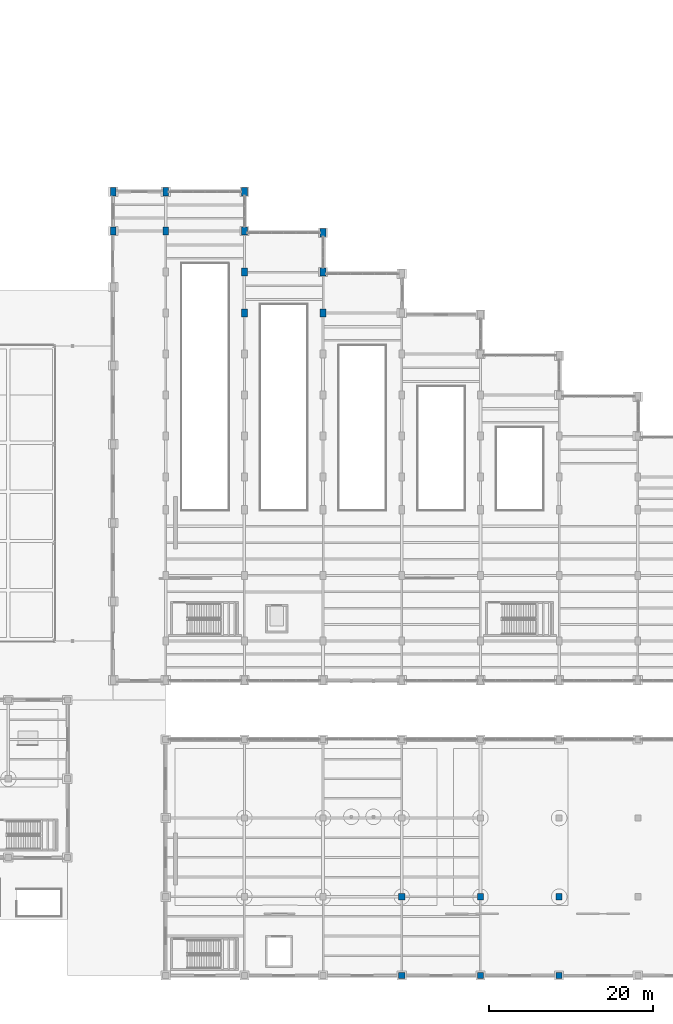
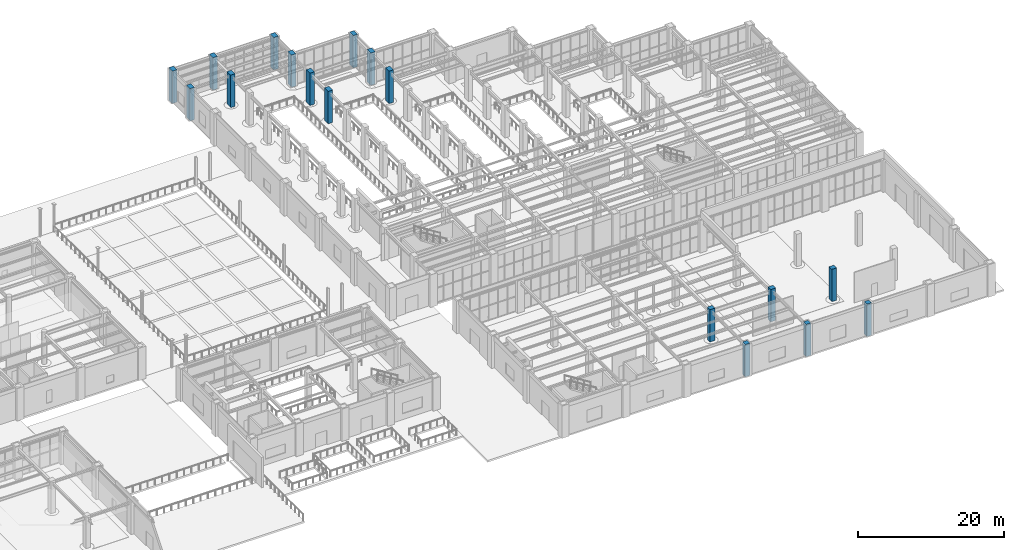
# One storey, part 18 of 164: 17 columns.
"""IFC4 building model written with IfcOpenShell, lengths in metres."""

from ifc_helpers import new_model, si_unit, direction, frame, origin, origin_2d, place, context, subcontext, project, spatial, rectangle, extrude, material, material_profile, profile_set, type_object, element, save


model = new_model("IFC4")

# Units and contexts
model_context = context("Model", 3, precision=1e-05, world=origin(), true_north=direction((0.0, 1.0)))
body_context = subcontext(model_context, "Body", "Model", "MODEL_VIEW")
ifc_project = project(units=[si_unit("LENGTHUNIT", "METRE"), si_unit("AREAUNIT", "SQUARE_METRE"), si_unit("VOLUMEUNIT", "CUBIC_METRE"), si_unit("PLANEANGLEUNIT", "RADIAN"), si_unit("MASSUNIT", "GRAM", prefix="KILO")], contexts=[model_context])

# Site, building, storey
site_placement = place(None, origin())
site = spatial("IfcSite", under=ifc_project, at=site_placement, CompositionType="ELEMENT")
building_placement = place(site_placement, origin())
building = spatial("IfcBuilding", under=site, at=building_placement, Name="Mavantir Sound Aquarium", CompositionType="ELEMENT")
storey_placement = place(building_placement, origin())
storey = spatial("IfcBuildingStorey", under=building, at=storey_placement, Name="L00", CompositionType="ELEMENT", Elevation=0.0)

# Columns
ifc_material = material(Name="Concrete C40/50", Category="concrete")
ifc_material_profile_1 = material_profile(ifc_material, rectangle(XDim=0.699951171875, YDim=1.0, at=origin_2d()), Name="RC 700X1000")
ifc_profile_set_1 = profile_set([ifc_material_profile_1], Name="Concrete C40/50")
column_type_1 = type_object("IfcColumnType", Name="COL-RC700X1000-I", PredefinedType="COLUMN", material=ifc_profile_set_1)
for number, where, z_axis, x_axis, name in (
    (1, (101.60009765625, 90.800048828125, 0.0), (0.0, 0.0, 1.0), (1.0, 0.0, 0.0), "L00 column RC-C710 (V4)"),
    (2, (101.60009765625, 95.60009765625, 0.0), (0.0, 0.0, 1.0), (1.0, 0.0, 0.0), "L00 column RC-C710 (V4)"),
    (3, (108.0, 90.800048828125, 0.0), (0.0, 0.0, 1.0), (1.0, 0.0, 0.0), "L00 column RC-C710 (V4)"),
    (4, (108.0, 95.60009765625, 0.0), (0.0, 0.0, 1.0), (1.0, 0.0, 0.0), "L00 column RC-C710 (V4)"),
    (5, (117.60009765625, 80.800048828125, 0.0), (0.0, 0.0, 1.0), (1.0, 0.0, 0.0), "L00 column RC-C710 (V4)"),
    (6, (117.60009765625, 85.800048828125, 0.0), (0.0, 0.0, 1.0), (1.0, 0.0, 0.0), "L00 column RC-C710 (V4)"),
    (7, (117.60009765625, 90.800048828125, 0.0), (0.0, 0.0, 1.0), (1.0, 0.0, 0.0), "L00 column RC-C710 (V4)"),
    (8, (117.60009765625, 95.60009765625, 0.0), (0.0, 0.0, 1.0), (1.0, 0.0, 0.0), "L00 column RC-C710 (V4)"),
    (9, (127.199951171875, 80.800048828125, 0.0), (0.0, 0.0, 1.0), (1.0, 0.0, 0.0), "L00 column RC-C710 (V4)"),
    (10, (127.199951171875, 85.800048828125, 0.0), (0.0, 0.0, 1.0), (1.0, 0.0, 0.0), "L00 column RC-C710 (V4)"),
    (11, (127.199951171875, 90.60009765625, 0.0), (0.0, 0.0, 1.0), (1.0, 0.0, 0.0), "L00 column RC-C710 (V4)"),
):
    element("IfcColumn", number, at=place(storey_placement, frame(where, z_axis=z_axis, x_axis=x_axis)), inside=storey, type_object=column_type_1, Name=name, PredefinedType="COLUMN", context=body_context, shape_type="SweptSolid", body=[
        extrude(rectangle(XDim=0.699951171875, YDim=1.0, at=origin_2d()), origin(), (0.0, 0.0, 1.0), 5.39990234375),
    ])
ifc_material_profile_2 = material_profile(ifc_material, rectangle(XDim=0.75, YDim=0.75, at=origin_2d()), Name="RC 750X750")
ifc_profile_set_2 = profile_set([ifc_material_profile_2], Name="Concrete C40/50")
column_type_2 = type_object("IfcColumnType", Name="COL-RC750-E", PredefinedType="COLUMN", material=ifc_profile_set_2)
for number, where, z_axis, x_axis, name in (
    (12, (136.800048828125, 0.0, 0.0), (0.0, 0.0, 1.0), (1.0, 0.0, 0.0), "L00 column RC-C75 (V6)"),
    (13, (146.39990234375, 0.0, 0.0), (0.0, 0.0, 1.0), (1.0, 0.0, 0.0), "L00 column RC-C75 (V6)"),
    (14, (156.0, 0.0, 0.0), (0.0, 0.0, 1.0), (1.0, 0.0, 0.0), "L00 column RC-C75 (V6)"),
):
    element("IfcColumn", number, at=place(storey_placement, frame(where, z_axis=z_axis, x_axis=x_axis)), inside=storey, type_object=column_type_2, Name=name, PredefinedType="COLUMN", context=body_context, shape_type="SweptSolid", body=[
        extrude(rectangle(XDim=0.75, YDim=0.75, at=origin_2d()), origin(), (0.0, 0.0, 1.0), 5.39990234375),
    ])
ifc_material_profile_3 = material_profile(ifc_material, rectangle(XDim=0.75, YDim=0.75, at=origin_2d()), Name="RC 750X750")
ifc_profile_set_3 = profile_set([ifc_material_profile_3], Name="Concrete C40/50")
column_type_3 = type_object("IfcColumnType", Name="COL-RC750-I", PredefinedType="COLUMN", material=ifc_profile_set_3)
for number, where, z_axis, x_axis, name in (
    (15, (136.800048828125, 9.60009765625, 0.0), (0.0, 0.0, 1.0), (1.0, 0.0, 0.0), "L00 column RC-C75 (V6)"),
    (16, (146.39990234375, 9.60009765625, 0.0), (0.0, 0.0, 1.0), (1.0, 0.0, 0.0), "L00 column RC-C75 (V6)"),
    (17, (156.0, 9.60009765625, 0.0), (0.0, 0.0, 1.0), (1.0, 0.0, 0.0), "L00 column RC-C75 (V6)"),
):
    element("IfcColumn", number, at=place(storey_placement, frame(where, z_axis=z_axis, x_axis=x_axis)), inside=storey, type_object=column_type_3, Name=name, PredefinedType="COLUMN", context=body_context, shape_type="SweptSolid", body=[
        extrude(rectangle(XDim=0.75, YDim=0.75, at=origin_2d()), origin(), (0.0, 0.0, 1.0), 5.39990234375),
    ])

save(model, "model.ifc")
